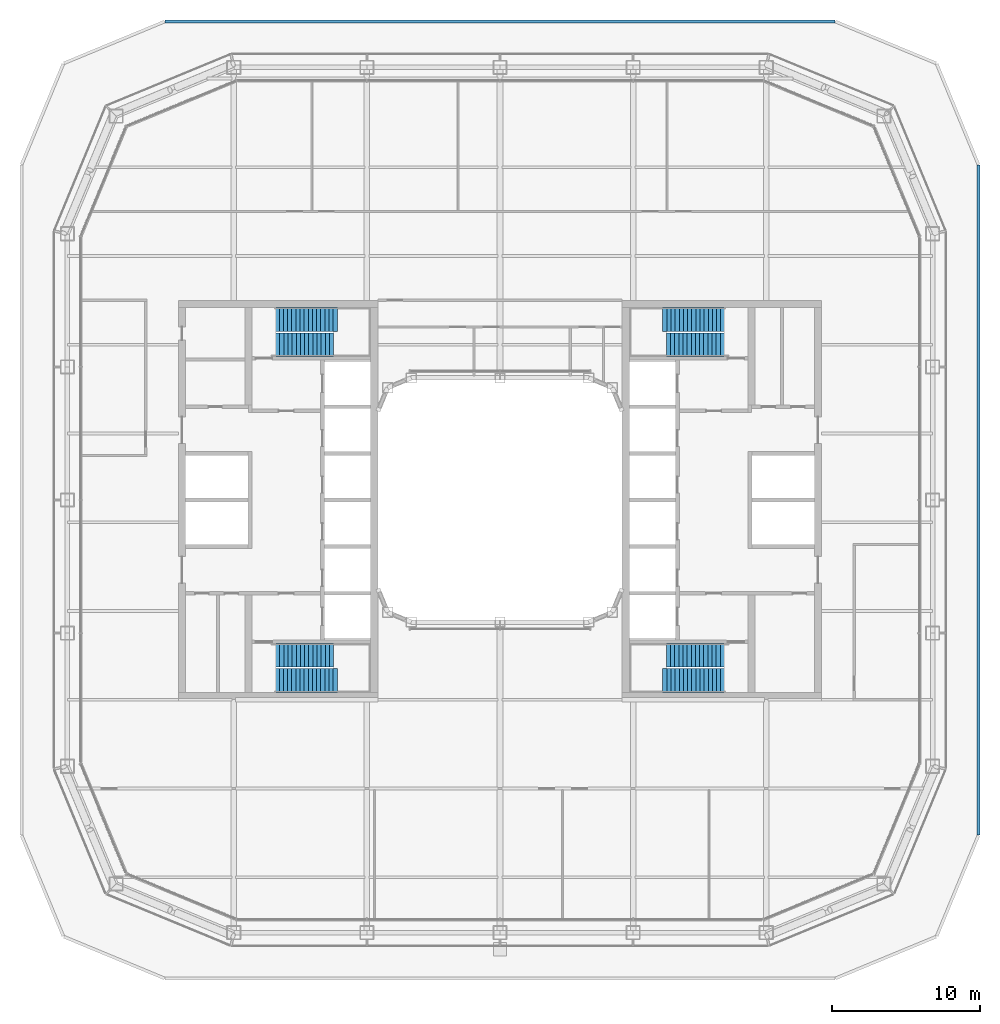
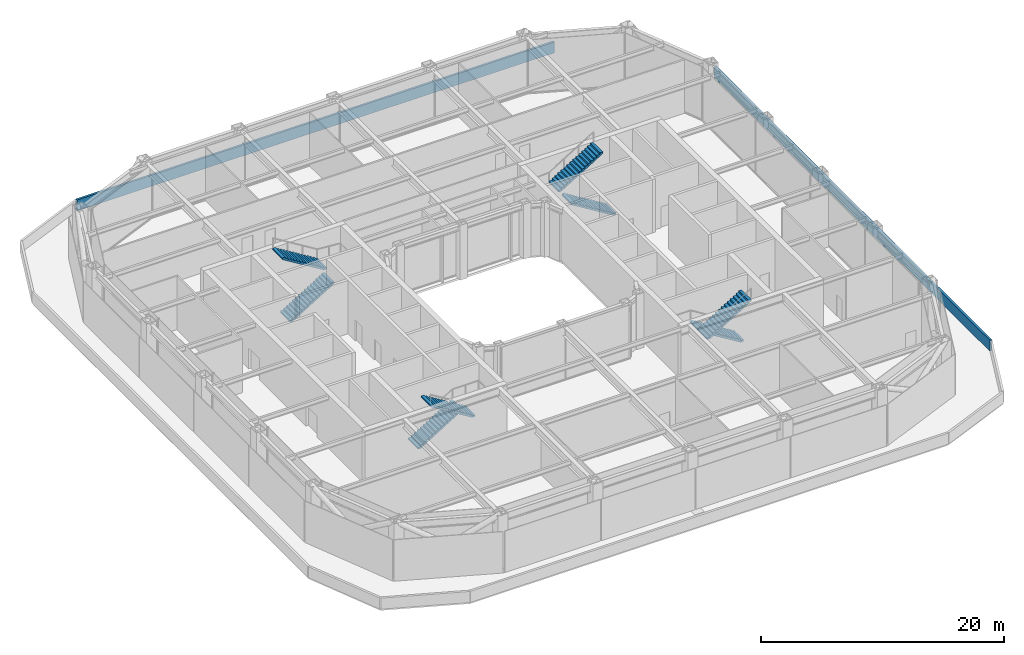
# One storey, part 14 of 21: 8 stair flights, 2 walls, 4 elements without a shape of their own.
"""IFC4 building model written with IfcOpenShell, lengths in metres."""

from ifc_helpers import new_model, si_unit, direction, frame, frame_2d, origin, place, context, subcontext, project, spatial, polyline, rectangle, outline, extrude, material, layer, layer_set, type_object, element, aggregate, save


model = new_model("IFC4")

# Units and contexts
model_context = context("Model", 3, precision=1e-05, world=origin(), true_north=direction((0.0, 1.0)))
body_context = subcontext(model_context, "Body", "Model", "MODEL_VIEW")
ifc_project = project(units=[si_unit("LENGTHUNIT", "METRE"), si_unit("AREAUNIT", "SQUARE_METRE"), si_unit("VOLUMEUNIT", "CUBIC_METRE"), si_unit("PLANEANGLEUNIT", "RADIAN"), si_unit("MASSUNIT", "GRAM", prefix="KILO")], contexts=[model_context])

# Site, building, storey
site_placement = place(None, origin())
site = spatial("IfcSite", under=ifc_project, at=site_placement, CompositionType="ELEMENT")
building_placement = place(site_placement, origin())
building = spatial("IfcBuilding", under=site, at=building_placement, Name="Siwar Civic Tower", CompositionType="ELEMENT")
storey_placement = place(building_placement, frame((0.0, 0.0, 99.199951171875)))
storey = spatial("IfcBuildingStorey", under=building, at=storey_placement, Name="L21", CompositionType="ELEMENT", Elevation=99.199951171875)

# Walls
ifc_material_1 = material(Name="Aluminium clad insulated panel", Category="aluminium")
ifc_layer = layer(ifc_material_1, 0.199951171875)
ifc_layer_set = layer_set([ifc_layer], Name="Aluminium clad insulated panel")
wall_type = type_object("IfcWallType", Name="ENV-PARAPET", PredefinedType="PARAPET", material=ifc_layer_set)
for number, where, z_axis, x_axis, name in (
    (1, (32.35009765625, -22.649169921875, 0.0), (0.0, 0.0, 1.0), (0.0, 1.0, 0.0), "Parapet L20 roof 1.5"),
    (2, (22.649169921875, 32.35009765625, 0.0), (0.0, 0.0, 1.0), (-1.0, 0.0, 0.0), "Parapet L20 roof 1.8"),
):
    element("IfcWall", number, at=place(storey_placement, frame(where, z_axis=z_axis, x_axis=x_axis)), inside=storey, type_object=wall_type, Name=name, PredefinedType="PARAPET", context=body_context, shape_type="SweptSolid", body=[
        extrude(rectangle(XDim=45.29833984375, YDim=0.199951171875, at=frame_2d((22.649169921875, 0.0))), origin(), (0.0, 0.0, 1.0), 1.10009765625),
    ])

# Stair, stair flights
ifc_material_2 = material(Name="Concrete C40/50", Category="concrete")
stair_type = type_object("IfcStairType", Name="CORE-STAIR", PredefinedType="TWO_STRAIGHT_RUN_STAIR", material=ifc_material_2)
stair_1_placement = place(storey_placement, origin())
stair_1 = element("IfcStair", 3, at=stair_1_placement, inside=storey, type_object=stair_type, Name="Exit stair ST1", PredefinedType="TWO_STRAIGHT_RUN_STAIR")
ifc_material_3 = material(Name="Concrete C40/50", Category="concrete")
stair_flight_type = type_object("IfcStairFlightType", Name="CORE-STAIR-FLIGHT", PredefinedType="STRAIGHT", material=ifc_material_3)
stair_flight_1_placement = place(storey_placement, frame((-15.449951171875, 10.5, 0.0), z_axis=(0.0, 0.0, 1.0), x_axis=(1.0, 0.0, 0.0)))
stair_flight_1 = element("IfcStairFlight", 4, at=stair_flight_1_placement, type_object=stair_flight_type, Name="ST1 flight 1", NumberOfRisers=16, NumberOfTreads=15, PredefinedType="STRAIGHT", RiserHeight=0.171875, TreadLength=0.28, context=body_context, shape_type="SweptSolid", body=[
    extrude(outline(polyline([(0.0, 0.0), (0.0, 0.171875), (0.280029296875, 0.171875), (0.280029296875, 0.34375), (0.56005859375, 0.34375), (0.56005859375, 0.515625), (0.840087890625, 0.515625), (0.840087890625, 0.6875), (1.1201171875, 0.6875), (1.1201171875, 0.859375), (1.39990234375, 0.859375), (1.39990234375, 1.03125), (1.679931640625, 1.03125), (1.679931640625, 1.203125), (1.9599609375, 1.203125), (1.9599609375, 1.375), (2.239990234375, 1.375), (2.239990234375, 1.546875), (2.52001953125, 1.546875), (2.52001953125, 1.71875), (2.800048828125, 1.71875), (2.800048828125, 1.890625), (3.080078125, 1.890625), (3.080078125, 2.0625), (3.360107421875, 2.0625), (3.360107421875, 2.234375), (3.639892578125, 2.234375), (3.639892578125, 2.40625), (3.919921875, 2.40625), (3.919921875, 2.578125), (4.199951171875, 2.578125), (4.199951171875, 2.75), (4.199951171875, 2.40234375), (0.28662109375, 0.0), (0.0, 0.0)])), frame((0.0, 0.800048828125, 0.0), z_axis=(0.0, -1.0, 0.0), x_axis=(1.0, 0.0, 0.0)), (0.0, 0.0, 1.0), 1.60009765625),
])
stair_flight_2_placement = place(storey_placement, frame((-11.0, 12.199951171875, 2.75), z_axis=(0.0, 0.0, 1.0), x_axis=(-1.0, 0.0, 0.0)))
stair_flight_2 = element("IfcStairFlight", 5, at=stair_flight_2_placement, type_object=stair_flight_type, Name="ST1 flight 2", NumberOfRisers=16, NumberOfTreads=15, PredefinedType="STRAIGHT", RiserHeight=0.171875, TreadLength=0.28, context=body_context, shape_type="SweptSolid", body=[
    extrude(outline(polyline([(0.0, 0.0), (0.0, 0.171875), (0.280029296875, 0.171875), (0.280029296875, 0.34375), (0.56005859375, 0.34375), (0.56005859375, 0.515625), (0.840087890625, 0.515625), (0.840087890625, 0.6875), (1.1201171875, 0.6875), (1.1201171875, 0.859375), (1.39990234375, 0.859375), (1.39990234375, 1.03125), (1.679931640625, 1.03125), (1.679931640625, 1.203125), (1.9599609375, 1.203125), (1.9599609375, 1.375), (2.239990234375, 1.375), (2.239990234375, 1.546875), (2.52001953125, 1.546875), (2.52001953125, 1.71875), (2.800048828125, 1.71875), (2.800048828125, 1.890625), (3.080078125, 1.890625), (3.080078125, 2.0625), (3.360107421875, 2.0625), (3.360107421875, 2.234375), (3.639892578125, 2.234375), (3.639892578125, 2.40625), (3.919921875, 2.40625), (3.919921875, 2.578125), (4.199951171875, 2.578125), (4.199951171875, 2.75), (4.199951171875, 2.40234375), (0.28662109375, 0.0), (0.0, 0.0)])), frame((0.0, 0.800048828125, 0.0), z_axis=(0.0, -1.0, 0.0), x_axis=(1.0, 0.0, 0.0)), (0.0, 0.0, 1.0), 1.60009765625),
])
aggregate(stair_1, [stair_flight_1, stair_flight_2])

stair_2_placement = place(storey_placement, origin())
stair_2 = element("IfcStair", 6, at=stair_2_placement, inside=storey, type_object=stair_type, Name="Exit stair ST2", PredefinedType="TWO_STRAIGHT_RUN_STAIR")
stair_flight_3_placement = place(storey_placement, frame((-15.449951171875, -10.5, 0.0), z_axis=(0.0, 0.0, 1.0), x_axis=(1.0, 0.0, 0.0)))
stair_flight_3 = element("IfcStairFlight", 7, at=stair_flight_3_placement, type_object=stair_flight_type, Name="ST2 flight 1", NumberOfRisers=16, NumberOfTreads=15, PredefinedType="STRAIGHT", RiserHeight=0.171875, TreadLength=0.28, context=body_context, shape_type="SweptSolid", body=[
    extrude(outline(polyline([(0.0, 0.0), (0.0, 0.171875), (0.280029296875, 0.171875), (0.280029296875, 0.34375), (0.56005859375, 0.34375), (0.56005859375, 0.515625), (0.840087890625, 0.515625), (0.840087890625, 0.6875), (1.1201171875, 0.6875), (1.1201171875, 0.859375), (1.39990234375, 0.859375), (1.39990234375, 1.03125), (1.679931640625, 1.03125), (1.679931640625, 1.203125), (1.9599609375, 1.203125), (1.9599609375, 1.375), (2.239990234375, 1.375), (2.239990234375, 1.546875), (2.52001953125, 1.546875), (2.52001953125, 1.71875), (2.800048828125, 1.71875), (2.800048828125, 1.890625), (3.080078125, 1.890625), (3.080078125, 2.0625), (3.360107421875, 2.0625), (3.360107421875, 2.234375), (3.639892578125, 2.234375), (3.639892578125, 2.40625), (3.919921875, 2.40625), (3.919921875, 2.578125), (4.199951171875, 2.578125), (4.199951171875, 2.75), (4.199951171875, 2.40234375), (0.28662109375, 0.0), (0.0, 0.0)])), frame((0.0, 0.800048828125, 0.0), z_axis=(0.0, -1.0, 0.0), x_axis=(1.0, 0.0, 0.0)), (0.0, 0.0, 1.0), 1.60009765625),
])
stair_flight_4_placement = place(storey_placement, frame((-11.0, -12.199951171875, 2.75), z_axis=(0.0, 0.0, 1.0), x_axis=(-1.0, 0.0, 0.0)))
stair_flight_4 = element("IfcStairFlight", 8, at=stair_flight_4_placement, type_object=stair_flight_type, Name="ST2 flight 2", NumberOfRisers=16, NumberOfTreads=15, PredefinedType="STRAIGHT", RiserHeight=0.171875, TreadLength=0.28, context=body_context, shape_type="SweptSolid", body=[
    extrude(outline(polyline([(0.0, 0.0), (0.0, 0.171875), (0.280029296875, 0.171875), (0.280029296875, 0.34375), (0.56005859375, 0.34375), (0.56005859375, 0.515625), (0.840087890625, 0.515625), (0.840087890625, 0.6875), (1.1201171875, 0.6875), (1.1201171875, 0.859375), (1.39990234375, 0.859375), (1.39990234375, 1.03125), (1.679931640625, 1.03125), (1.679931640625, 1.203125), (1.9599609375, 1.203125), (1.9599609375, 1.375), (2.239990234375, 1.375), (2.239990234375, 1.546875), (2.52001953125, 1.546875), (2.52001953125, 1.71875), (2.800048828125, 1.71875), (2.800048828125, 1.890625), (3.080078125, 1.890625), (3.080078125, 2.0625), (3.360107421875, 2.0625), (3.360107421875, 2.234375), (3.639892578125, 2.234375), (3.639892578125, 2.40625), (3.919921875, 2.40625), (3.919921875, 2.578125), (4.199951171875, 2.578125), (4.199951171875, 2.75), (4.199951171875, 2.40234375), (0.28662109375, 0.0), (0.0, 0.0)])), frame((0.0, 0.800048828125, 0.0), z_axis=(0.0, -1.0, 0.0), x_axis=(1.0, 0.0, 0.0)), (0.0, 0.0, 1.0), 1.60009765625),
])
aggregate(stair_2, [stair_flight_3, stair_flight_4])

stair_3_placement = place(storey_placement, origin())
stair_3 = element("IfcStair", 9, at=stair_3_placement, inside=storey, type_object=stair_type, Name="Exit stair ST3", PredefinedType="TWO_STRAIGHT_RUN_STAIR")
stair_flight_5_placement = place(storey_placement, frame((15.449951171875, 10.5, 0.0), z_axis=(0.0, 0.0, 1.0), x_axis=(-1.0, 0.0, 0.0)))
stair_flight_5 = element("IfcStairFlight", 10, at=stair_flight_5_placement, type_object=stair_flight_type, Name="ST3 flight 1", NumberOfRisers=16, NumberOfTreads=15, PredefinedType="STRAIGHT", RiserHeight=0.171875, TreadLength=0.28, context=body_context, shape_type="SweptSolid", body=[
    extrude(outline(polyline([(0.0, 0.0), (0.0, 0.171875), (0.280029296875, 0.171875), (0.280029296875, 0.34375), (0.56005859375, 0.34375), (0.56005859375, 0.515625), (0.840087890625, 0.515625), (0.840087890625, 0.6875), (1.1201171875, 0.6875), (1.1201171875, 0.859375), (1.39990234375, 0.859375), (1.39990234375, 1.03125), (1.679931640625, 1.03125), (1.679931640625, 1.203125), (1.9599609375, 1.203125), (1.9599609375, 1.375), (2.239990234375, 1.375), (2.239990234375, 1.546875), (2.52001953125, 1.546875), (2.52001953125, 1.71875), (2.800048828125, 1.71875), (2.800048828125, 1.890625), (3.080078125, 1.890625), (3.080078125, 2.0625), (3.360107421875, 2.0625), (3.360107421875, 2.234375), (3.639892578125, 2.234375), (3.639892578125, 2.40625), (3.919921875, 2.40625), (3.919921875, 2.578125), (4.199951171875, 2.578125), (4.199951171875, 2.75), (4.199951171875, 2.40234375), (0.28662109375, 0.0), (0.0, 0.0)])), frame((0.0, 0.800048828125, 0.0), z_axis=(0.0, -1.0, 0.0), x_axis=(1.0, 0.0, 0.0)), (0.0, 0.0, 1.0), 1.60009765625),
])
stair_flight_6_placement = place(storey_placement, frame((11.0, 12.199951171875, 2.75), z_axis=(0.0, 0.0, 1.0), x_axis=(1.0, 0.0, 0.0)))
stair_flight_6 = element("IfcStairFlight", 11, at=stair_flight_6_placement, type_object=stair_flight_type, Name="ST3 flight 2", NumberOfRisers=16, NumberOfTreads=15, PredefinedType="STRAIGHT", RiserHeight=0.171875, TreadLength=0.28, context=body_context, shape_type="SweptSolid", body=[
    extrude(outline(polyline([(0.0, 0.0), (0.0, 0.171875), (0.280029296875, 0.171875), (0.280029296875, 0.34375), (0.56005859375, 0.34375), (0.56005859375, 0.515625), (0.840087890625, 0.515625), (0.840087890625, 0.6875), (1.1201171875, 0.6875), (1.1201171875, 0.859375), (1.39990234375, 0.859375), (1.39990234375, 1.03125), (1.679931640625, 1.03125), (1.679931640625, 1.203125), (1.9599609375, 1.203125), (1.9599609375, 1.375), (2.239990234375, 1.375), (2.239990234375, 1.546875), (2.52001953125, 1.546875), (2.52001953125, 1.71875), (2.800048828125, 1.71875), (2.800048828125, 1.890625), (3.080078125, 1.890625), (3.080078125, 2.0625), (3.360107421875, 2.0625), (3.360107421875, 2.234375), (3.639892578125, 2.234375), (3.639892578125, 2.40625), (3.919921875, 2.40625), (3.919921875, 2.578125), (4.199951171875, 2.578125), (4.199951171875, 2.75), (4.199951171875, 2.40234375), (0.28662109375, 0.0), (0.0, 0.0)])), frame((0.0, 0.800048828125, 0.0), z_axis=(0.0, -1.0, 0.0), x_axis=(1.0, 0.0, 0.0)), (0.0, 0.0, 1.0), 1.60009765625),
])
aggregate(stair_3, [stair_flight_5, stair_flight_6])

stair_4_placement = place(storey_placement, origin())
stair_4 = element("IfcStair", 12, at=stair_4_placement, inside=storey, type_object=stair_type, Name="Exit stair ST4", PredefinedType="TWO_STRAIGHT_RUN_STAIR")
stair_flight_7_placement = place(storey_placement, frame((15.449951171875, -10.5, 0.0), z_axis=(0.0, 0.0, 1.0), x_axis=(-1.0, 0.0, 0.0)))
stair_flight_7 = element("IfcStairFlight", 13, at=stair_flight_7_placement, type_object=stair_flight_type, Name="ST4 flight 1", NumberOfRisers=16, NumberOfTreads=15, PredefinedType="STRAIGHT", RiserHeight=0.171875, TreadLength=0.28, context=body_context, shape_type="SweptSolid", body=[
    extrude(outline(polyline([(0.0, 0.0), (0.0, 0.171875), (0.280029296875, 0.171875), (0.280029296875, 0.34375), (0.56005859375, 0.34375), (0.56005859375, 0.515625), (0.840087890625, 0.515625), (0.840087890625, 0.6875), (1.1201171875, 0.6875), (1.1201171875, 0.859375), (1.39990234375, 0.859375), (1.39990234375, 1.03125), (1.679931640625, 1.03125), (1.679931640625, 1.203125), (1.9599609375, 1.203125), (1.9599609375, 1.375), (2.239990234375, 1.375), (2.239990234375, 1.546875), (2.52001953125, 1.546875), (2.52001953125, 1.71875), (2.800048828125, 1.71875), (2.800048828125, 1.890625), (3.080078125, 1.890625), (3.080078125, 2.0625), (3.360107421875, 2.0625), (3.360107421875, 2.234375), (3.639892578125, 2.234375), (3.639892578125, 2.40625), (3.919921875, 2.40625), (3.919921875, 2.578125), (4.199951171875, 2.578125), (4.199951171875, 2.75), (4.199951171875, 2.40234375), (0.28662109375, 0.0), (0.0, 0.0)])), frame((0.0, 0.800048828125, 0.0), z_axis=(0.0, -1.0, 0.0), x_axis=(1.0, 0.0, 0.0)), (0.0, 0.0, 1.0), 1.60009765625),
])
stair_flight_8_placement = place(storey_placement, frame((11.0, -12.199951171875, 2.75), z_axis=(0.0, 0.0, 1.0), x_axis=(1.0, 0.0, 0.0)))
stair_flight_8 = element("IfcStairFlight", 14, at=stair_flight_8_placement, type_object=stair_flight_type, Name="ST4 flight 2", NumberOfRisers=16, NumberOfTreads=15, PredefinedType="STRAIGHT", RiserHeight=0.171875, TreadLength=0.28, context=body_context, shape_type="SweptSolid", body=[
    extrude(outline(polyline([(0.0, 0.0), (0.0, 0.171875), (0.280029296875, 0.171875), (0.280029296875, 0.34375), (0.56005859375, 0.34375), (0.56005859375, 0.515625), (0.840087890625, 0.515625), (0.840087890625, 0.6875), (1.1201171875, 0.6875), (1.1201171875, 0.859375), (1.39990234375, 0.859375), (1.39990234375, 1.03125), (1.679931640625, 1.03125), (1.679931640625, 1.203125), (1.9599609375, 1.203125), (1.9599609375, 1.375), (2.239990234375, 1.375), (2.239990234375, 1.546875), (2.52001953125, 1.546875), (2.52001953125, 1.71875), (2.800048828125, 1.71875), (2.800048828125, 1.890625), (3.080078125, 1.890625), (3.080078125, 2.0625), (3.360107421875, 2.0625), (3.360107421875, 2.234375), (3.639892578125, 2.234375), (3.639892578125, 2.40625), (3.919921875, 2.40625), (3.919921875, 2.578125), (4.199951171875, 2.578125), (4.199951171875, 2.75), (4.199951171875, 2.40234375), (0.28662109375, 0.0), (0.0, 0.0)])), frame((0.0, 0.800048828125, 0.0), z_axis=(0.0, -1.0, 0.0), x_axis=(1.0, 0.0, 0.0)), (0.0, 0.0, 1.0), 1.60009765625),
])
aggregate(stair_4, [stair_flight_7, stair_flight_8])

save(model, "model.ifc")
